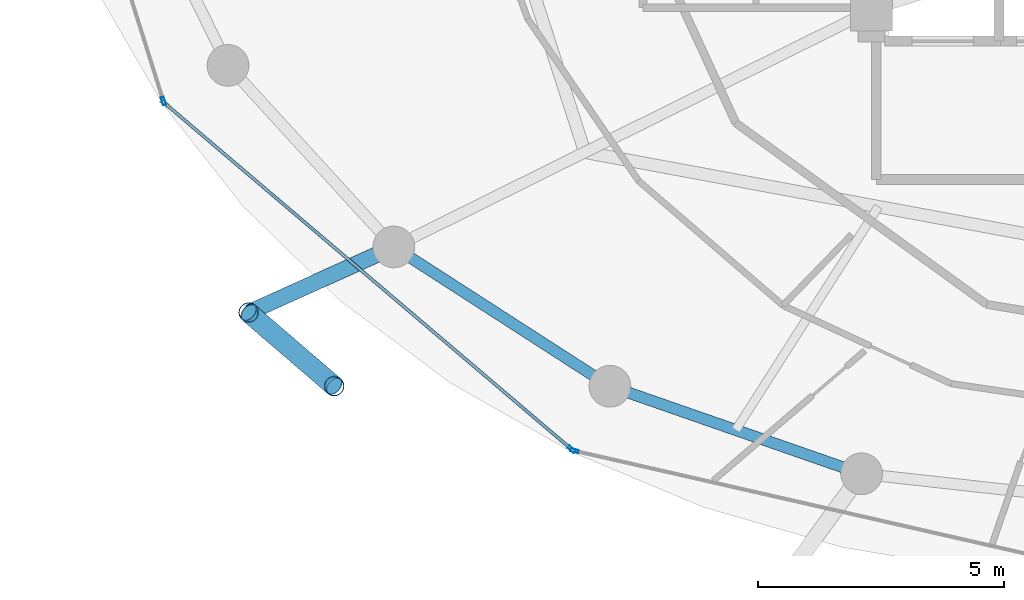
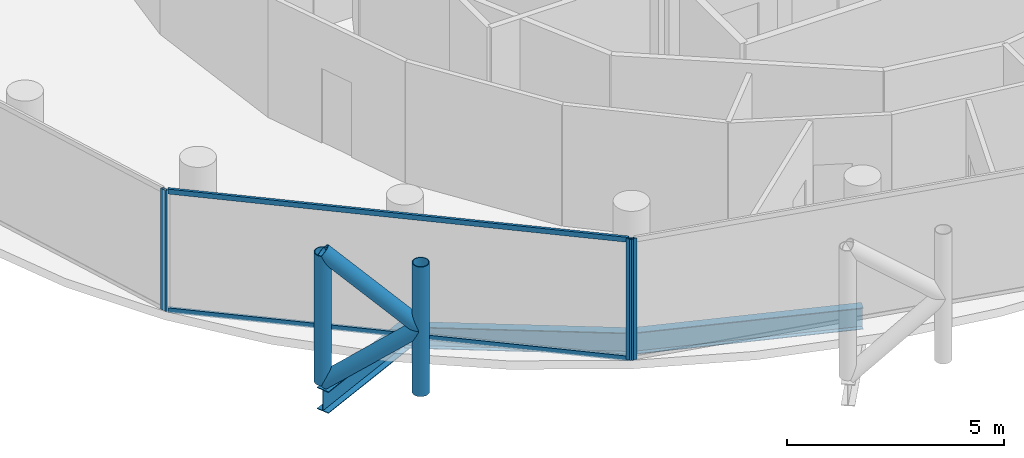
# One storey, part 2 of 27: 9 members, 3 beams, 3 elements without a shape of their own.
"""IFC4 building model written with IfcOpenShell, lengths in metres."""

from ifc_helpers import new_model, si_unit, direction, frame, origin, origin_2d, place, context, subcontext, project, spatial, hollow_rectangle, hollow_circle, i_section, extrude, material, layer, layer_set, material_profile, profile_set, type_object, element, aggregate, save


model = new_model("IFC4")

# Units and contexts
model_context = context("Model", 3, precision=1e-05, world=origin(), true_north=direction((0.0, 1.0)))
body_context = subcontext(model_context, "Body", "Model", "MODEL_VIEW")
ifc_project = project(units=[si_unit("LENGTHUNIT", "METRE"), si_unit("AREAUNIT", "SQUARE_METRE"), si_unit("VOLUMEUNIT", "CUBIC_METRE"), si_unit("PLANEANGLEUNIT", "RADIAN"), si_unit("MASSUNIT", "GRAM", prefix="KILO")], contexts=[model_context])

# Site, building, storey
site_placement = place(None, origin())
site = spatial("IfcSite", under=ifc_project, at=site_placement, CompositionType="ELEMENT")
building_placement = place(site_placement, origin())
building = spatial("IfcBuilding", under=site, at=building_placement, Name="Nuhasar Tower", CompositionType="ELEMENT")
storey_placement = place(building_placement, frame((0.0, 0.0, 241.0)))
storey = spatial("IfcBuildingStorey", under=building, at=storey_placement, Name="L59", CompositionType="ELEMENT", Elevation=241.0)

# Beams
ifc_material_1 = material(Name="Steel S355", Category="steel")
ifc_material_profile_1 = material_profile(ifc_material_1, i_section(OverallWidth=0.22802734375, OverallDepth=0.60791015625, WebThickness=0.01123046875, FlangeThickness=0.017333984375, at=origin_2d()), Name="W24X76")
ifc_profile_set_1 = profile_set([ifc_material_profile_1], Name="Steel S355")
beam_type_1 = type_object("IfcBeamType", Name="BM-RING-W24X76", PredefinedType="SPANDREL", material=ifc_profile_set_1)
beam_1_placement = place(storey_placement, frame((23.97412109375, 14.177978515625, -0.5439453125), z_axis=(0.840502144969, -0.541808217272, 0.0), x_axis=(0.541808217272, 0.840502144969, 0.0)))
element("IfcBeam", 1, at=beam_1_placement, inside=storey, type_object=beam_type_1, Name="L59 Perimeter Ring Spandrel 16", PredefinedType="SPANDREL", context=body_context, shape_type="SweptSolid", body=[
    extrude(i_section(OverallWidth=0.22802734375, OverallDepth=0.60791015625, WebThickness=0.01123046875, FlangeThickness=0.017333984375, at=origin_2d()), origin(), (0.0, 0.0, 1.0), 5.236083984375),
])
beam_2_placement = place(storey_placement, frame((28.375, 11.341064453125, -0.5439453125), z_axis=(0.944476764686, -0.328578211342, 0.0), x_axis=(0.328578211342, 0.944476764686, 0.0)))
element("IfcBeam", 2, at=beam_2_placement, inside=storey, type_object=beam_type_1, Name="L59 Perimeter Ring Spandrel 17", PredefinedType="SPANDREL", context=body_context, shape_type="SweptSolid", body=[
    extrude(i_section(OverallWidth=0.22802734375, OverallDepth=0.60791015625, WebThickness=0.01123046875, FlangeThickness=0.017333984375, at=origin_2d()), origin(), (0.0, 0.0, 1.0), 5.42626953125),
])
ifc_material_profile_2 = material_profile(ifc_material_1, i_section(OverallWidth=0.323974609375, OverallDepth=0.611083984375, WebThickness=0.0126953125, FlangeThickness=0.01904296875, at=origin_2d()), Name="W24X104")
ifc_profile_set_2 = profile_set([ifc_material_profile_2], Name="Steel S355")
beam_type_2 = type_object("IfcBeamType", Name="BM-TIE-W24X104", PredefinedType="BEAM", material=ifc_profile_set_2)
beam_3_placement = place(storey_placement, frame((23.97412109375, 14.177978515625, -0.5458984375), z_axis=(-0.911363318082, -0.411602845538, 0.0), x_axis=(0.411602845538, -0.911363318082, 0.0)))
element("IfcBeam", 3, at=beam_3_placement, inside=storey, type_object=beam_type_2, Name="L59 Exoskeleton Node Tie Beam 08", PredefinedType="BEAM", context=body_context, shape_type="SweptSolid", body=[
    extrude(i_section(OverallWidth=0.323974609375, OverallDepth=0.611083984375, WebThickness=0.0126953125, FlangeThickness=0.01904296875, at=origin_2d()), origin(), (0.0, 0.0, 1.0), 3.24560546875),
])

# Curtain wall, member
ifc_material_2 = material(Name="Aluminium 6063-T6", Category="aluminium")
ifc_layer = layer(ifc_material_2, 0.18994140625)
ifc_layer_set = layer_set([ifc_layer], Name="Aluminium 6063-T6")
curtain_wall_type = type_object("IfcCurtainWallType", Name="CW-Z3-RES", PredefinedType="NOTDEFINED", material=ifc_layer_set)
curtain_wall_1_placement = place(storey_placement, origin())
curtain_wall_1 = element("IfcCurtainWall", 4, at=curtain_wall_1_placement, inside=storey, type_object=curtain_wall_type, Name="L59 Unitised Curtain Wall 07", PredefinedType="NOTDEFINED")
ifc_material_profile_3 = material_profile(ifc_material_2, hollow_rectangle(XDim=0.06494140625, YDim=0.169921875, WallThickness=0.0048828125, at=origin_2d()), Name="CWM-4")
ifc_profile_set_3 = profile_set([ifc_material_profile_3], Name="Aluminium 6063-T6")
member_type_1 = type_object("IfcMemberType", Name="CW-MUL-S4", PredefinedType="MULLION", material=ifc_profile_set_3)
member_1_placement = place(storey_placement, frame((19.279296875, 17.15087890625, 0.0), z_axis=(0.0, 0.0, 1.0), x_axis=(0.95380429279, 0.30042864553, 0.0)))
member_1 = element("IfcMember", 5, at=member_1_placement, type_object=member_type_1, Name="CW-Z3 mullion 2", PredefinedType="MULLION", context=body_context, shape_type="SweptSolid", body=[
    extrude(hollow_rectangle(XDim=0.06494140625, YDim=0.169921875, WallThickness=0.0048828125, at=origin_2d()), origin(), (0.0, 0.0, 1.0), 3.409912109375),
])
aggregate(curtain_wall_1, [member_1])

curtain_wall_2_placement = place(storey_placement, origin())
curtain_wall_2 = element("IfcCurtainWall", 6, at=curtain_wall_2_placement, inside=storey, type_object=curtain_wall_type, Name="L59 Unitised Curtain Wall 08", PredefinedType="NOTDEFINED")
member_2_placement = place(storey_placement, frame((27.59521484375, 10.05517578125, 0.0), z_axis=(0.0, 0.0, 1.0), x_axis=(0.64789521578, 0.761729472562, 0.0)))
member_2 = element("IfcMember", 7, at=member_2_placement, type_object=member_type_1, Name="CW-Z3 mullion 2", PredefinedType="MULLION", context=body_context, shape_type="SweptSolid", body=[
    extrude(hollow_rectangle(XDim=0.06494140625, YDim=0.169921875, WallThickness=0.0048828125, at=origin_2d()), origin(), (0.0, 0.0, 1.0), 3.409912109375),
])

curtain_wall_3_placement = place(storey_placement, origin())
curtain_wall_3 = element("IfcCurtainWall", 8, at=curtain_wall_3_placement, inside=storey, type_object=curtain_wall_type, Name="L59 Unitised Curtain Wall 09", PredefinedType="NOTDEFINED")
member_3_placement = place(storey_placement, frame((27.651611328125, 10.02685546875, 0.0), z_axis=(0.0, 0.0, 1.0), x_axis=(0.222243176313, 0.974991266926, 0.0)))
member_3 = element("IfcMember", 9, at=member_3_placement, type_object=member_type_1, Name="CW-Z3 mullion 1", PredefinedType="MULLION", context=body_context, shape_type="SweptSolid", body=[
    extrude(hollow_rectangle(XDim=0.06494140625, YDim=0.169921875, WallThickness=0.0048828125, at=origin_2d()), origin(), (0.0, 0.0, 1.0), 3.409912109375),
])
aggregate(curtain_wall_3, [member_3])

# Member
ifc_material_profile_4 = material_profile(ifc_material_2, hollow_rectangle(XDim=0.06494140625, YDim=0.139892578125, WallThickness=0.00439453125, at=origin_2d()), Name="CWT-4")
ifc_profile_set_4 = profile_set([ifc_material_profile_4], Name="Aluminium 6063-T6")
member_type_2 = type_object("IfcMemberType", Name="CW-TRN-S4", PredefinedType="USERDEFINED", material=ifc_profile_set_4)
member_4_placement = place(storey_placement, frame((19.338623046875, 17.077880859375, 0.032470703125), z_axis=(0.761730809511, -0.647893643928, 0.0), x_axis=(0.647893643928, 0.761730809511, 0.0)))
member_4 = element("IfcMember", 10, at=member_4_placement, type_object=member_type_2, Name="CW-Z3 transom 1.1", ObjectType="TRANSOM", PredefinedType="USERDEFINED", context=body_context, shape_type="SweptSolid", body=[
    extrude(hollow_rectangle(XDim=0.06494140625, YDim=0.139892578125, WallThickness=0.00439453125, at=origin_2d()), origin(), (0.0, 0.0, 1.0), 10.806884765625),
])

member_5_placement = place(storey_placement, frame((19.338623046875, 17.077880859375, 3.37744140625), z_axis=(0.761730809511, -0.647893643928, 0.0), x_axis=(0.647893643928, 0.761730809511, 0.0)))
member_5 = element("IfcMember", 11, at=member_5_placement, type_object=member_type_2, Name="CW-Z3 transom 1.2", ObjectType="TRANSOM", PredefinedType="USERDEFINED", context=body_context, shape_type="SweptSolid", body=[
    extrude(hollow_rectangle(XDim=0.06494140625, YDim=0.139892578125, WallThickness=0.00439453125, at=origin_2d()), origin(), (0.0, 0.0, 1.0), 10.806884765625),
])

aggregate(curtain_wall_2, [member_2, member_4, member_5])

# Members
ifc_material_3 = material(Name="Steel S460", Category="steel")
ifc_material_profile_5 = material_profile(ifc_material_3, hollow_circle(Radius=0.203125, WallThickness=0.01904296875, at=origin_2d()), Name="HSS406.4X19.1")
ifc_profile_set_5 = profile_set([ifc_material_profile_5], Name="Steel S460")
member_type_3 = type_object("IfcMemberType", Name="EXO-BRONZE-406", PredefinedType="BRACE", material=ifc_profile_set_5)
for number, where, z_axis, x_axis, name in (
    (12, (21.01611328125, 12.842041015625, 0.0), (0.0, 0.0, 1.0), (1.0, 0.0, 0.0), "L59 Exoskeleton Chord Column EC-08A"),
    (13, (22.760009765625, 11.343017578125, 0.0), (0.0, 0.0, 1.0), (1.0, 0.0, 0.0), "L59 Exoskeleton Chord Column EC-08B"),
):
    element("IfcMember", number, at=place(storey_placement, frame(where, z_axis=z_axis, x_axis=x_axis)), inside=storey, type_object=member_type_3, Name=name, PredefinedType="BRACE", context=body_context, shape_type="SweptSolid", body=[
        extrude(hollow_circle(Radius=0.203125, WallThickness=0.01904296875, at=origin_2d()), origin(), (0.0, 0.0, 1.0), 3.64990234375),
    ])
for number, where, z_axis, x_axis, name in (
    (14, (21.01611328125, 12.842041015625, 0.0), (0.594018535389, -0.510608120858, 0.621627964725), (0.65185738425, 0.758341579104, 0.0), "L59 Bronze Diagrid Brace W1-08"),
    (15, (22.760009765625, 11.343017578125, 1.824951171875), (-0.594018535389, 0.510608120858, 0.621627964725), (-0.65185738425, -0.758341579104, 0.0), "L59 Bronze Diagrid Brace W2-08"),
):
    element("IfcMember", number, at=place(storey_placement, frame(where, z_axis=z_axis, x_axis=x_axis)), inside=storey, type_object=member_type_3, Name=name, PredefinedType="BRACE", context=body_context, shape_type="SweptSolid", body=[
        extrude(hollow_circle(Radius=0.203125, WallThickness=0.01904296875, at=origin_2d()), origin(), (0.0, 0.0, 1.0), 2.935791015625),
    ])

save(model, "model.ifc")
